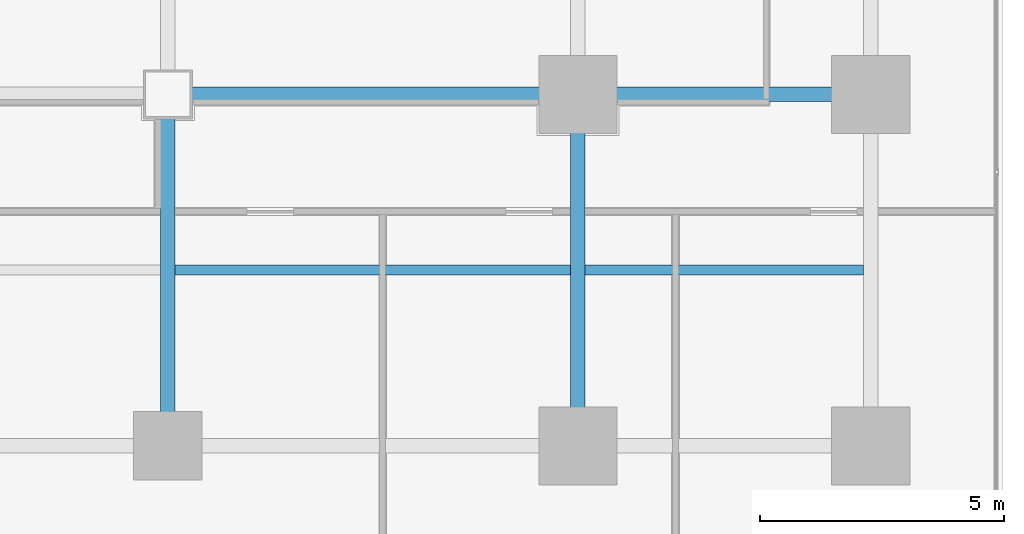
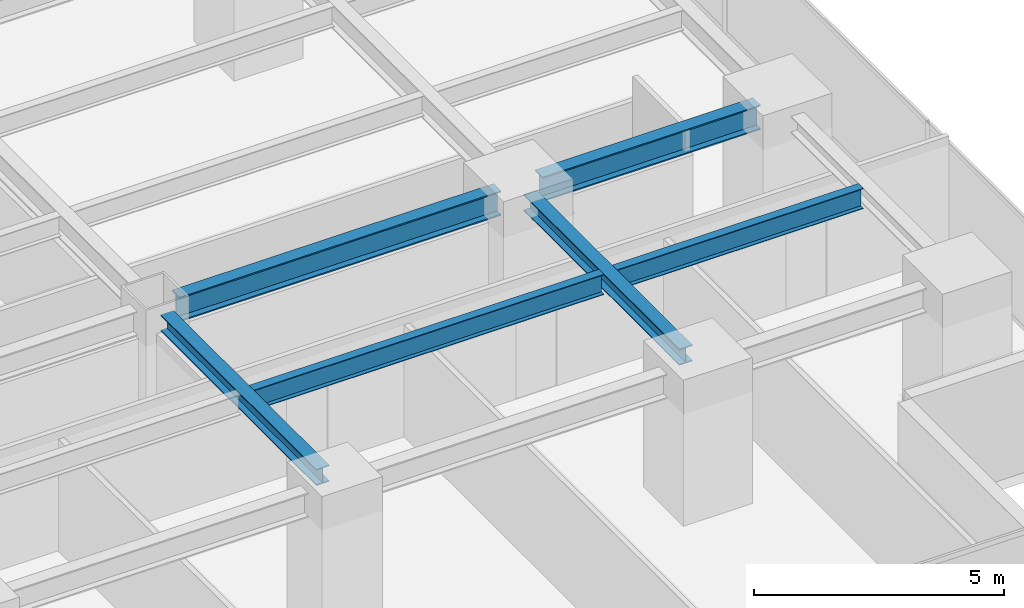
# One storey, part 13 of 37: 6 beams.
"""IFC4 building model written with IfcOpenShell, lengths in metres."""

from ifc_helpers import new_model, si_unit, direction, frame, origin, origin_2d, place, context, subcontext, project, spatial, i_section, extrude, source, transform, mapped, material, material_profile, profile_set, type_object, element, save


model = new_model("IFC4")

# Units and contexts
model_context = context("Model", 3, precision=1e-05, world=origin(), true_north=direction((0.0, 1.0)))
body_context = subcontext(model_context, "Body", "Model", "MODEL_VIEW")
ifc_project = project(units=[si_unit("LENGTHUNIT", "METRE"), si_unit("AREAUNIT", "SQUARE_METRE"), si_unit("VOLUMEUNIT", "CUBIC_METRE"), si_unit("PLANEANGLEUNIT", "RADIAN"), si_unit("MASSUNIT", "GRAM", prefix="KILO")], contexts=[model_context])

# Site, building, storey
site_placement = place(None, origin())
site = spatial("IfcSite", under=ifc_project, at=site_placement, CompositionType="ELEMENT")
building_placement = place(site_placement, origin())
building = spatial("IfcBuilding", under=site, at=building_placement, Name="Sumidabori Civic Tower", CompositionType="ELEMENT")
storey_placement = place(building_placement, frame((0.0, 0.0, 88.39990234375)))
storey = spatial("IfcBuildingStorey", under=building, at=storey_placement, Name="L22", CompositionType="ELEMENT", Elevation=88.39990234375)

# Beams
ifc_material = material(Name="Steel SN490", Category="steel")
ifc_material_profile_1 = material_profile(ifc_material, i_section(OverallWidth=0.300048828125, OverallDepth=0.60009765625, WebThickness=0.015380859375, FlangeThickness=0.030029296875, at=origin_2d()), Name="HE 600 B")
ifc_profile_set_1 = profile_set([ifc_material_profile_1], Name="Steel SN490")
beam_type_1 = type_object("IfcBeamType", Name="BM-GIRD-600", PredefinedType="BEAM", material=ifc_profile_set_1)
shared_shape_1 = source(origin(), body_context, "Body", "SweptSolid", [
    extrude(i_section(OverallWidth=0.300048828125, OverallDepth=0.60009765625, WebThickness=0.015380859375, FlangeThickness=0.030029296875, at=origin_2d()), origin(), (0.0, 0.0, 1.0), 5.0400390625),
])
beam_1_placement = place(storey_placement, frame((17.280029296875, -10.800048828125, 3.06005859375), z_axis=(1.0, 0.0, 0.0), x_axis=(0.0, 1.0, 0.0)))
element("IfcBeam", 1, at=beam_1_placement, inside=storey, type_object=beam_type_1, Name="Primary Girder L22 GX-12", PredefinedType="BEAM", context=body_context, shape_type="MappedRepresentation", body=[
    mapped(shared_shape_1, transform((0.0, 0.0, 0.0), x_axis=(1.0, 0.0, 0.0), y_axis=(0.0, 1.0, 0.0), z_axis=(0.0, 0.0, 1.0), scale=1.0)),
])
shared_shape_2 = source(origin(), body_context, "Body", "SweptSolid", [
    extrude(i_section(OverallWidth=0.300048828125, OverallDepth=0.60009765625, WebThickness=0.015380859375, FlangeThickness=0.030029296875, at=origin_2d()), origin(), (0.0, 0.0, 1.0), 7.440185546875),
])
beam_2_placement = place(storey_placement, frame((8.8798828125, -10.800048828125, 3.06005859375), z_axis=(1.0, 0.0, 0.0), x_axis=(0.0, 1.0, 0.0)))
element("IfcBeam", 2, at=beam_2_placement, inside=storey, type_object=beam_type_1, Name="Primary Girder L22 GX-11", PredefinedType="BEAM", context=body_context, shape_type="MappedRepresentation", body=[
    mapped(shared_shape_2, transform((0.0, 0.0, 0.0), x_axis=(1.0, 0.0, 0.0), y_axis=(0.0, 1.0, 0.0), z_axis=(0.0, 0.0, 1.0), scale=1.0)),
])
ifc_material_profile_2 = material_profile(ifc_material, i_section(OverallWidth=0.300048828125, OverallDepth=0.39990234375, WebThickness=0.013427734375, FlangeThickness=0.02392578125, at=origin_2d()), Name="HE 400 B")
ifc_profile_set_2 = profile_set([ifc_material_profile_2], Name="Steel SN490")
beam_type_2 = type_object("IfcBeamType", Name="BM-GIRD-400", PredefinedType="BEAM", material=ifc_profile_set_2)
shared_shape_3 = source(origin(), body_context, "Body", "SweptSolid", [
    extrude(i_section(OverallWidth=0.300048828125, OverallDepth=0.39990234375, WebThickness=0.013427734375, FlangeThickness=0.02392578125, at=origin_2d()), origin(), (0.0, 0.0, 1.0), 6.239990234375),
])
for number, where, z_axis, x_axis, name in (
    (3, (8.39990234375, -17.52001953125, 3.16015625), (0.0, 1.0, 0.0), (-1.0, 0.0, 0.0), "Primary Girder L22 GY-33"),
    (4, (16.800048828125, -17.52001953125, 3.16015625), (0.0, 1.0, 0.0), (-1.0, 0.0, 0.0), "Primary Girder L22 GY-35"),
):
    element("IfcBeam", number, at=place(storey_placement, frame(where, z_axis=z_axis, x_axis=x_axis)), inside=storey, type_object=beam_type_2, Name=name, PredefinedType="BEAM", context=body_context, shape_type="MappedRepresentation", body=[
        mapped(shared_shape_3, transform((0.0, 0.0, 0.0), x_axis=(1.0, 0.0, 0.0), y_axis=(0.0, 1.0, 0.0), z_axis=(0.0, 0.0, 1.0), scale=1.0)),
    ])
ifc_material_profile_3 = material_profile(ifc_material, i_section(OverallWidth=0.199951171875, OverallDepth=0.5, WebThickness=0.01025390625, FlangeThickness=0.01611328125, at=origin_2d()), Name="IPE 500")
ifc_profile_set_3 = profile_set([ifc_material_profile_3], Name="Steel SN490")
beam_type_3 = type_object("IfcBeamType", Name="BM-JST-500", PredefinedType="JOIST", material=ifc_profile_set_3)
shared_shape_4 = source(origin(), body_context, "Body", "SweptSolid", [
    extrude(i_section(OverallWidth=0.199951171875, OverallDepth=0.5, WebThickness=0.01025390625, FlangeThickness=0.01611328125, at=origin_2d()), origin(), (0.0, 0.0, 1.0), 5.699951171875),
])
beam_3_placement = place(storey_placement, frame((16.949951171875, -14.39990234375, 3.110107421875), z_axis=(1.0, 0.0, 0.0), x_axis=(0.0, 1.0, 0.0)))
element("IfcBeam", 5, at=beam_3_placement, inside=storey, type_object=beam_type_3, Name="Outer Bay Floor Joist L22 JSTO-52", PredefinedType="JOIST", context=body_context, shape_type="MappedRepresentation", body=[
    mapped(shared_shape_4, transform((0.0, 0.0, 0.0), x_axis=(1.0, 0.0, 0.0), y_axis=(0.0, 1.0, 0.0), z_axis=(0.0, 0.0, 1.0), scale=1.0)),
])
shared_shape_5 = source(origin(), body_context, "Body", "SweptSolid", [
    extrude(i_section(OverallWidth=0.199951171875, OverallDepth=0.5, WebThickness=0.01025390625, FlangeThickness=0.01611328125, at=origin_2d()), origin(), (0.0, 0.0, 1.0), 8.099853515625),
])
beam_4_placement = place(storey_placement, frame((8.550048828125, -14.39990234375, 3.110107421875), z_axis=(1.0, 0.0, 0.0), x_axis=(0.0, 1.0, 0.0)))
element("IfcBeam", 6, at=beam_4_placement, inside=storey, type_object=beam_type_3, Name="South Bay Floor Joist L22 JSTS-58", PredefinedType="JOIST", context=body_context, shape_type="MappedRepresentation", body=[
    mapped(shared_shape_5, transform((0.0, 0.0, 0.0), x_axis=(1.0, 0.0, 0.0), y_axis=(0.0, 1.0, 0.0), z_axis=(0.0, 0.0, 1.0), scale=1.0)),
])

save(model, "model.ifc")
